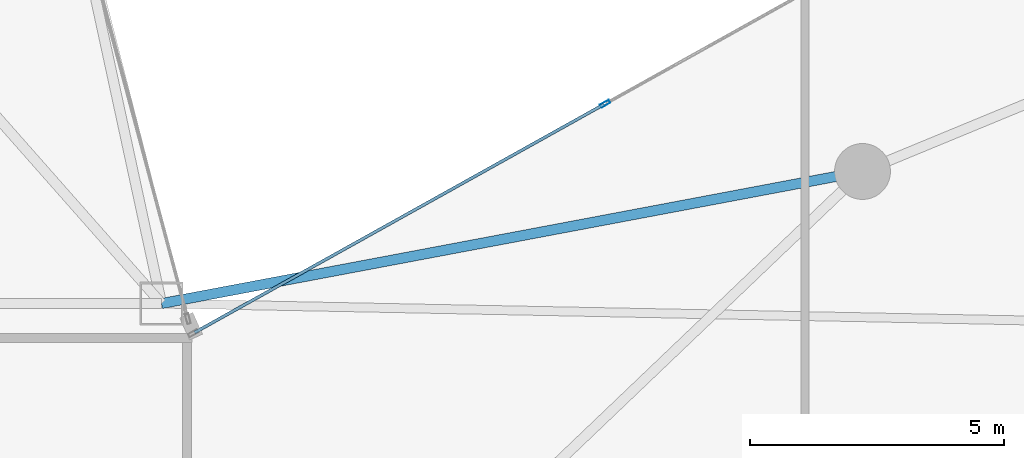
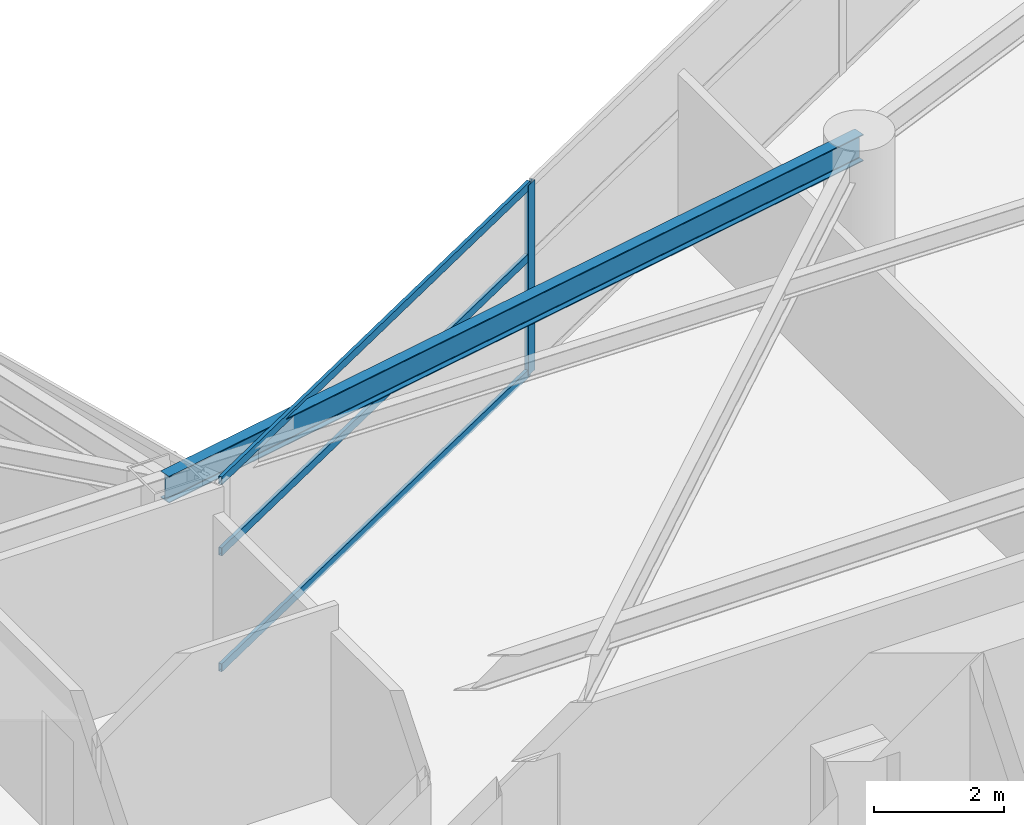
# One storey, part 11 of 29: 4 members, 1 beam, 1 element without a shape of its own.
"""IFC4 building model written with IfcOpenShell, lengths in metres."""

import ifcopenshell
import ifcopenshell.guid

model = None  # the IFC model being written
_history = None  # IfcOwnerHistory: only IFC2X3 demands one
_inside = {}  # id of a spatial element -> (the spatial element, [elements in it])
_under = {}  # id of a project, library or spatial element -> (it, [spatial elements below it])
_declared = {}  # id of a project -> (the project, [libraries it declares])
_typed = {}  # id of a type object -> (the type object, [elements of that type])
_made_of = {}  # id of a material, layer set ... -> (it, [elements and type objects made of it])


def new_model(schema):
    """Start an empty IFC model of exactly this schema.

    Asked for "IFC4X3", IfcOpenShell would pick the latest addendum, in which some entities
    have other attributes; the version numbers below select the first issue.
    IFC2X3 requires an IfcOwnerHistory on every rooted entity: one is made here for all.
    """
    global model, _history
    if schema == "IFC4X3":
        model = ifcopenshell.file(schema_version=(4, 3, 0, 0))
    else:
        model = ifcopenshell.file(schema=schema)
    _inside.clear()
    _under.clear()
    _declared.clear()
    _typed.clear()
    _made_of.clear()
    _history = None
    if model.schema == "IFC2X3":
        org = make("IfcOrganization", Name="unknown")
        user = make(
            "IfcPersonAndOrganization",
            ThePerson=make("IfcPerson", FamilyName="unknown"),
            TheOrganization=org,
        )
        app = make(
            "IfcApplication",
            ApplicationDeveloper=org,
            Version="unknown",
            ApplicationFullName="unknown",
            ApplicationIdentifier="unknown",
        )
        _history = make(
            "IfcOwnerHistory",
            OwningUser=user,
            OwningApplication=app,
            ChangeAction="ADDED",
            CreationDate=0,
        )
    return model


def make(cls, **values):
    """One entity of the class cls with the attributes given. An attribute that is None is left unset."""
    return model.create_entity(
        cls, **{name: value for name, value in values.items() if value is not None}
    )


def rooted(cls, **values):
    """An entity with a GlobalId (a new one), such as an element, a storey or a relation."""
    return make(cls, GlobalId=ifcopenshell.guid.new(), OwnerHistory=_history, **values)


def si_unit(unit_type, name, prefix=None):
    """IfcSIUnit, for example si_unit("LENGTHUNIT", "METRE", prefix="MILLI")."""
    return make("IfcSIUnit", UnitType=unit_type, Prefix=prefix, Name=name)


def assignment(units):
    """IfcUnitAssignment: the units of a project."""
    return None if units is None else make("IfcUnitAssignment", Units=units)


def point(xyz):
    """IfcCartesianPoint."""
    return None if xyz is None else make("IfcCartesianPoint", Coordinates=xyz)


def direction(xyz):
    """IfcDirection."""
    return None if xyz is None else make("IfcDirection", DirectionRatios=xyz)


def frame(location, z_axis=None, x_axis=None):
    """IfcAxis2Placement3D, a coordinate frame: its origin and axes. An axis left out is left unset."""
    return make(
        "IfcAxis2Placement3D",
        Location=point(location),
        Axis=direction(z_axis),
        RefDirection=direction(x_axis),
    )


def frame_2d(location, x_axis=None):
    """IfcAxis2Placement2D, a coordinate frame in the plane: its origin and x axis."""
    return make(
        "IfcAxis2Placement2D", Location=point(location), RefDirection=direction(x_axis)
    )


def origin():
    """The frame at (0, 0, 0) with its axes left unset."""
    return frame((0.0, 0.0, 0.0))


def origin_2d():
    """The frame at (0, 0) in the plane with its x axis left unset."""
    return frame_2d((0.0, 0.0))


def place(relative_to, where):
    """IfcLocalPlacement: puts the frame where relative to a parent placement (None: the world)."""
    return make(
        "IfcLocalPlacement", PlacementRelTo=relative_to, RelativePlacement=where
    )


def context(
    kind, dimensions, precision=None, world=None, true_north=None, identifier=None
):
    """IfcGeometricRepresentationContext, for example the 3D "Model" context."""
    return make(
        "IfcGeometricRepresentationContext",
        ContextIdentifier=identifier,
        ContextType=kind,
        CoordinateSpaceDimension=dimensions,
        Precision=precision,
        WorldCoordinateSystem=world,
        TrueNorth=true_north,
    )


def subcontext(parent, identifier, kind, view, scale=None):
    """IfcGeometricRepresentationSubContext, for example "Body" below "Model"."""
    return make(
        "IfcGeometricRepresentationSubContext",
        ContextIdentifier=identifier,
        ContextType=kind,
        ParentContext=parent,
        TargetScale=scale,
        TargetView=view,
    )


def project(units=None, contexts=None):
    """IfcProject with its units and contexts."""
    return rooted(
        "IfcProject",
        Name="project",
        RepresentationContexts=contexts,
        UnitsInContext=assignment(units),
    )


def spatial(cls, under=None, at=None, **own):
    """A site, building, storey or space (cls), placed at a placement, below another one or the project."""
    s = rooted(cls, ObjectPlacement=at, **own)
    if under is not None:
        _under.setdefault(under.id(), (under, []))[1].append(s)
    return s


def profile(cls, at=None, kind="AREA", **sizes):
    """A parametric profile (cls). Its sizes go by their IFC names, for example OverallWidth=200.0."""
    return make(cls, ProfileType=kind, Position=at, **sizes)


def hollow_rectangle(**sizes):
    """IfcRectangleHollowProfileDef."""
    return profile("IfcRectangleHollowProfileDef", **sizes)


def i_section(**sizes):
    """IfcIShapeProfileDef."""
    return profile("IfcIShapeProfileDef", **sizes)


def extrude(swept, where, along, depth):
    """IfcExtrudedAreaSolid: the profile swept, set in the frame where, extruded along a direction by depth."""
    return make(
        "IfcExtrudedAreaSolid",
        SweptArea=swept,
        Position=where,
        ExtrudedDirection=direction(along),
        Depth=depth,
    )


def shape(context_of_items, identifier, shape_type, items):
    """IfcShapeRepresentation: the items that make up one representation, for example the "Body"."""
    return make(
        "IfcShapeRepresentation",
        ContextOfItems=context_of_items,
        RepresentationIdentifier=identifier,
        RepresentationType=shape_type,
        Items=items,
    )


def material(Name=None, Category=None):
    """IfcMaterial."""
    return make("IfcMaterial", Name=Name, Category=Category)


def layer(
    of_material, thickness, ventilated=None, Name=None, Category=None, Priority=None
):
    """IfcMaterialLayer: one layer of a wall or slab, of a material (None: an air gap)."""
    return make(
        "IfcMaterialLayer",
        Material=of_material,
        LayerThickness=thickness,
        IsVentilated=ventilated,
        Name=Name,
        Category=Category,
        Priority=Priority,
    )


def layer_set(layers, Name=None):
    """IfcMaterialLayerSet."""
    return make("IfcMaterialLayerSet", MaterialLayers=layers, LayerSetName=Name)


def material_profile(
    of_material, cross_section, Name=None, Category=None, Priority=None
):
    """IfcMaterialProfile: a cross section and its material."""
    return make(
        "IfcMaterialProfile",
        Name=Name,
        Material=of_material,
        Profile=cross_section,
        Priority=Priority,
        Category=Category,
    )


def profile_set(profiles, Name=None, composite=None):
    """IfcMaterialProfileSet."""
    return make(
        "IfcMaterialProfileSet",
        Name=Name,
        MaterialProfiles=profiles,
        CompositeProfile=composite,
    )


def made_of(thing, what):
    """Note that an element or type object is made of a material, layer set ...; save() writes the relation."""
    if what is not None:
        _made_of.setdefault(what.id(), (what, []))[1].append(thing)
    return thing


def type_object(cls, material=None, **own):
    """A type object (cls), such as IfcWallType, which elements share."""
    return made_of(rooted(cls, **own), material)


def element(
    cls,
    number,
    at=None,
    inside=None,
    cuts=None,
    type_object=None,
    material=None,
    context=None,
    identifier="Body",
    shape_type=None,
    held_by="IfcProductDefinitionShape",
    body=None,
    shapes=None,
    **own,
):
    """One element of the class cls, such as IfcWall. Its Tag is "e" and its number.

    at: its placement. inside: the storey or other place that contains it. cuts: it is an
    opening in that element (IfcRelVoidsElement). A single representation is given by context,
    identifier, shape_type and body (its items); several are given by shapes. held_by: the class
    of the entity that holds the representations. save() writes the other relations.
    """
    e = rooted(cls, Tag="e%d" % number, ObjectPlacement=at, **own)
    if body is not None:
        shapes = [shape(context, identifier, shape_type, body)]
    if shapes is not None:
        e.Representation = make(held_by, Representations=shapes)
    if inside is not None:
        _inside.setdefault(inside.id(), (inside, []))[1].append(e)
    if cuts is not None:
        rooted(
            "IfcRelVoidsElement", RelatingBuildingElement=cuts, RelatedOpeningElement=e
        )
    if type_object is not None:
        _typed.setdefault(type_object.id(), (type_object, []))[1].append(e)
    return made_of(e, material)


def aggregate(whole, parts):
    """IfcRelAggregates: a whole, such as a stair, and the parts it consists of."""
    return rooted("IfcRelAggregates", RelatingObject=whole, RelatedObjects=parts)


def save(model, path):
    """Write the relations noted so far, then the file.

    IfcRelAggregates (storeys below a building ...), IfcRelContainedInSpatialStructure (elements
    in a storey), IfcRelDefinesByType, IfcRelAssociatesMaterial and IfcRelDeclares: one each for
    every whole, place, type object, material and project.
    """
    for whole, parts in _under.values():
        aggregate(whole, parts)
    for where, things in _inside.values():
        rooted(
            "IfcRelContainedInSpatialStructure",
            RelatedElements=things,
            RelatingStructure=where,
        )
    for kind, things in _typed.values():
        rooted("IfcRelDefinesByType", RelatedObjects=things, RelatingType=kind)
    for what, things in _made_of.values():
        rooted("IfcRelAssociatesMaterial", RelatedObjects=things, RelatingMaterial=what)
    for by, libraries in _declared.values():
        rooted("IfcRelDeclares", RelatingContext=by, RelatedDefinitions=libraries)
    model.write(path)


model = new_model("IFC4")

# Units and contexts
model_context = context("Model", 3, precision=1e-05, world=origin(), true_north=direction((0.0, 1.0)))
body_context = subcontext(model_context, "Body", "Model", "MODEL_VIEW")
ifc_project = project(units=[si_unit("LENGTHUNIT", "METRE"), si_unit("AREAUNIT", "SQUARE_METRE"), si_unit("VOLUMEUNIT", "CUBIC_METRE"), si_unit("PLANEANGLEUNIT", "RADIAN"), si_unit("MASSUNIT", "GRAM", prefix="KILO")], contexts=[model_context])

# Site, building, storey
site_placement = place(None, origin())
site = spatial("IfcSite", under=ifc_project, at=site_placement, CompositionType="ELEMENT")
building_placement = place(site_placement, origin())
building = spatial("IfcBuilding", under=site, at=building_placement, Name="Calvorn Quay Hotel", CompositionType="ELEMENT")
storey_placement = place(building_placement, frame((0.0, 0.0, 171.300048828125)))
storey = spatial("IfcBuildingStorey", under=building, at=storey_placement, Name="L42", CompositionType="ELEMENT", Elevation=171.300048828125)

# Beam
ifc_material_1 = material(Name="Steel Q355B", Category="steel")
ifc_material_profile_1 = material_profile(ifc_material_1, i_section(OverallWidth=0.199951171875, OverallDepth=0.5, WebThickness=0.010009765625, FlangeThickness=0.01611328125, FilletRadius=0.01611328125, at=origin_2d()), Name="HN500x200x10x16")
ifc_profile_set_1 = profile_set([ifc_material_profile_1], Name="Steel Q355B")
beam_type = type_object("IfcBeamType", Name="BM-SPANDREL-Z1", PredefinedType="SPANDREL", material=ifc_profile_set_1)
beam_placement = place(storey_placement, frame((34.800048828125, 27.60009765625, 3.2900390625), z_axis=(-0.982709432406, -0.185154452988, 0.0), x_axis=(0.185154452988, -0.982709432406, 0.0)))
element("IfcBeam", 1, at=beam_placement, inside=storey, type_object=beam_type, Name="Beam BSP-L42-E5", PredefinedType="SPANDREL", context=body_context, shape_type="SweptSolid", body=[
    extrude(i_section(OverallWidth=0.199951171875, OverallDepth=0.5, WebThickness=0.010009765625, FlangeThickness=0.01611328125, FilletRadius=0.01611328125, at=origin_2d()), origin(), (0.0, 0.0, 1.0), 14.04296875),
])

# Curtain wall, members
ifc_material_2 = material(Name="Pale Anodised Aluminium and Low-E Glass", Category="aluminium")
ifc_layer = layer(ifc_material_2, 0.219970703125)
ifc_layer_set = layer_set([ifc_layer], Name="CW-SYS-Z2")
curtain_wall_type = type_object("IfcCurtainWallType", Name="CW-SYS-Z2", PredefinedType="NOTDEFINED", material=ifc_layer_set)
curtain_wall_placement = place(storey_placement, origin())
curtain_wall = element("IfcCurtainWall", 2, at=curtain_wall_placement, inside=storey, type_object=curtain_wall_type, Name="Inner Court Curtain Wall L42-NE1", PredefinedType="NOTDEFINED")
ifc_material_3 = material(Name="Pale Anodised Aluminium 6063-T6", Category="aluminium")
ifc_material_profile_2 = material_profile(ifc_material_3, hollow_rectangle(XDim=0.070068359375, YDim=0.199951171875, WallThickness=0.00390625, at=origin_2d()), Name="ALU-M200x70x4")
ifc_profile_set_2 = profile_set([ifc_material_profile_2], Name="Pale Anodised Aluminium 6063-T6")
member_type_1 = type_object("IfcMemberType", Name="CW-SYS-Z2-MUL", PredefinedType="MULLION", material=ifc_profile_set_2)
member_1_placement = place(storey_placement, frame((29.7333984375, 28.933349609375, 0.0), z_axis=(0.0, 0.0, 1.0), x_axis=(0.486858256224, -0.873480989116, 0.0)))
member_1 = element("IfcMember", 3, at=member_1_placement, type_object=member_type_1, Name="CW-L42-NE1 mullion 3", PredefinedType="MULLION", context=body_context, shape_type="SweptSolid", body=[
    extrude(hollow_rectangle(XDim=0.070068359375, YDim=0.199951171875, WallThickness=0.00390625, at=origin_2d()), origin(), (0.0, 0.0, 1.0), 3.56005859375),
])
ifc_material_4 = material(Name="Pale Anodised Aluminium 6063-T6", Category="aluminium")
ifc_material_profile_3 = material_profile(ifc_material_4, hollow_rectangle(XDim=0.06005859375, YDim=0.14990234375, WallThickness=0.00341796875, at=origin_2d()), Name="ALU-T150x60x3.5")
ifc_profile_set_3 = profile_set([ifc_material_profile_3], Name="Pale Anodised Aluminium 6063-T6")
member_type_2 = type_object("IfcMemberType", Name="CW-SYS-Z2-TRN", PredefinedType="USERDEFINED", material=ifc_profile_set_3)
member_2_placement = place(storey_placement, frame((29.70703125, 28.918701171875, 0.030029296875), z_axis=(-0.87348080454, -0.486858587375, 0.0), x_axis=(0.486858587375, -0.87348080454, 0.0)))
member_2 = element("IfcMember", 4, at=member_2_placement, type_object=member_type_2, Name="CW-L42-NE1 transom 3.1", ObjectType="TRANSOM", PredefinedType="USERDEFINED", context=body_context, shape_type="SweptSolid", body=[
    extrude(hollow_rectangle(XDim=0.06005859375, YDim=0.14990234375, WallThickness=0.00341796875, at=origin_2d()), origin(), (0.0, 0.0, 1.0), 9.221435546875),
])
member_3_placement = place(storey_placement, frame((29.70703125, 28.918701171875, 2.199951171875), z_axis=(-0.87348080454, -0.486858587375, 0.0), x_axis=(0.486858587375, -0.87348080454, 0.0)))
member_3 = element("IfcMember", 5, at=member_3_placement, type_object=member_type_2, Name="CW-L42-NE1 transom 3.2", ObjectType="TRANSOM", PredefinedType="USERDEFINED", context=body_context, shape_type="SweptSolid", body=[
    extrude(hollow_rectangle(XDim=0.06005859375, YDim=0.14990234375, WallThickness=0.00341796875, at=origin_2d()), origin(), (0.0, 0.0, 1.0), 9.221435546875),
])
member_4_placement = place(storey_placement, frame((29.70703125, 28.918701171875, 3.530029296875), z_axis=(-0.87348080454, -0.486858587375, 0.0), x_axis=(0.486858587375, -0.87348080454, 0.0)))
member_4 = element("IfcMember", 6, at=member_4_placement, type_object=member_type_2, Name="CW-L42-NE1 transom 3.3", ObjectType="TRANSOM", PredefinedType="USERDEFINED", context=body_context, shape_type="SweptSolid", body=[
    extrude(hollow_rectangle(XDim=0.06005859375, YDim=0.14990234375, WallThickness=0.00341796875, at=origin_2d()), origin(), (0.0, 0.0, 1.0), 9.221435546875),
])
aggregate(curtain_wall, [member_1, member_2, member_3, member_4])

save(model, "model.ifc")
